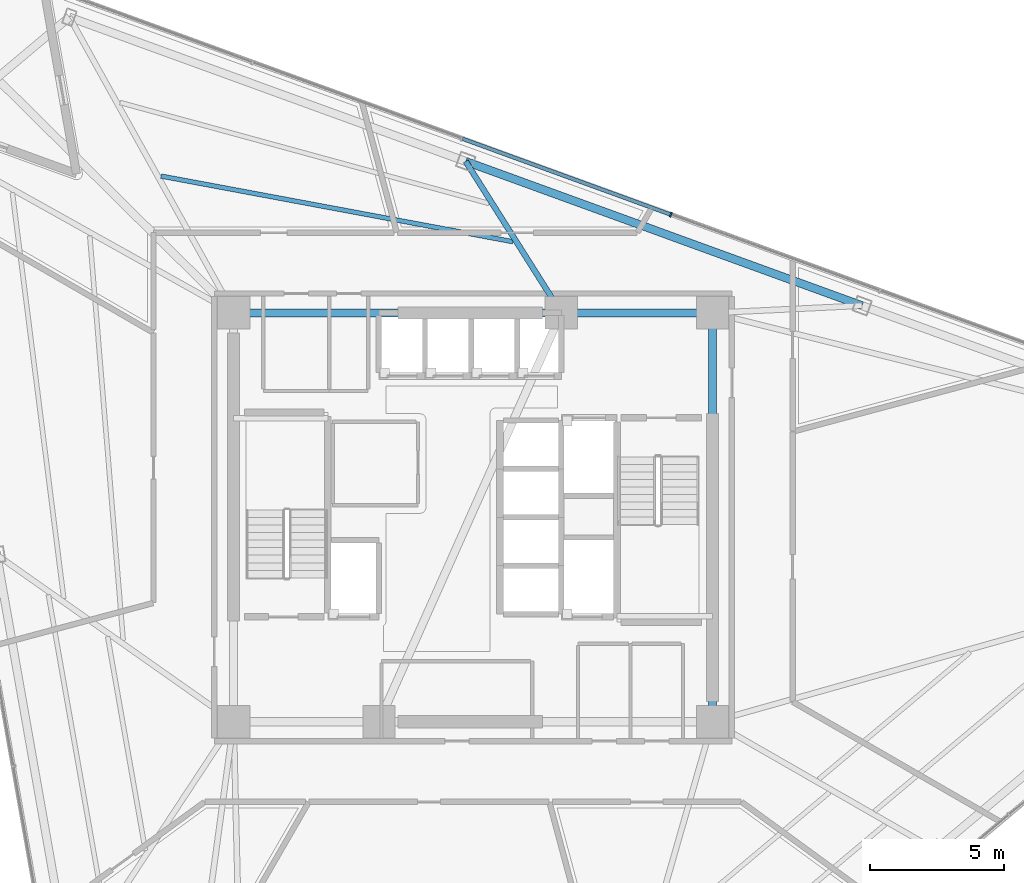
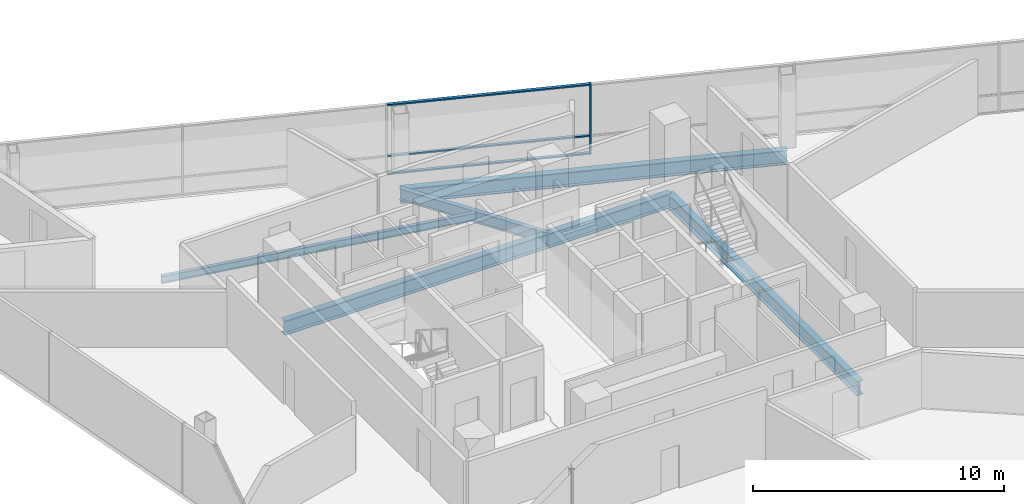
# One storey, part 6 of 15: 6 beams, 4 members, 1 element without a shape of its own.
"""IFC4 building model written with IfcOpenShell, lengths in metres."""

from ifc_helpers import new_model, si_unit, direction, frame, origin, origin_2d, place, context, subcontext, project, spatial, rectangle, i_section, extrude, material, layer, layer_set, material_profile, profile_set, type_object, element, aggregate, save


model = new_model("IFC4")

# Units and contexts
model_context = context("Model", 3, precision=1e-05, world=origin(), true_north=direction((0.0, 1.0)))
body_context = subcontext(model_context, "Body", "Model", "MODEL_VIEW")
ifc_project = project(units=[si_unit("LENGTHUNIT", "METRE"), si_unit("AREAUNIT", "SQUARE_METRE"), si_unit("VOLUMEUNIT", "CUBIC_METRE"), si_unit("PLANEANGLEUNIT", "RADIAN"), si_unit("MASSUNIT", "GRAM", prefix="KILO")], contexts=[model_context])

# Site, building, storey
site_placement = place(None, origin())
site = spatial("IfcSite", under=ifc_project, at=site_placement, CompositionType="ELEMENT")
building_placement = place(site_placement, origin())
building = spatial("IfcBuilding", under=site, at=building_placement, Name="Tharavind Bronze Gate", CompositionType="ELEMENT")
storey_placement = place(building_placement, frame((0.0, 0.0, 177.699951171875)))
storey = spatial("IfcBuildingStorey", under=building, at=storey_placement, Name="L45", CompositionType="ELEMENT", Elevation=177.699951171875)

# Curtain wall, members
ifc_material_1 = material(Name="Anodised Bronze Aluminium", Category="aluminium")
ifc_layer = layer(ifc_material_1, 0.219970703125)
ifc_layer_set = layer_set([ifc_layer], Name="Anodised Bronze Aluminium")
curtain_wall_type = type_object("IfcCurtainWallType", Name="UNITISED CURTAIN WALL MID OFFICE", PredefinedType="USERDEFINED", material=ifc_layer_set)
curtain_wall_placement = place(storey_placement, origin())
curtain_wall = element("IfcCurtainWall", 1, at=curtain_wall_placement, inside=storey, type_object=curtain_wall_type, Name="L45 unitised curtain wall mid office CW-L45-S3", ObjectType="UNITISED CURTAIN WALL", PredefinedType="USERDEFINED")
member_type_1 = type_object("IfcMemberType", Name="CURTAIN WALL BRONZE MULLION 65X180", PredefinedType="MULLION", material=ifc_material_1)
member_1_placement = place(storey_placement, frame((7.35009765625, 11.25439453125, 0.0), z_axis=(0.0, 0.0, 1.0), x_axis=(-0.939692023847, 0.342021783398, 0.0)))
member_1 = element("IfcMember", 2, at=member_1_placement, type_object=member_type_1, Name="CW-L45-S3 mullion 4", PredefinedType="MULLION", context=body_context, shape_type="SweptSolid", body=[
    extrude(rectangle(XDim=0.06494140625, YDim=0.179931640625, at=origin_2d()), origin(), (0.0, 0.0, 1.0), 3.419921875),
])
member_type_2 = type_object("IfcMemberType", Name="CURTAIN WALL BRONZE TRANSOM 65X140", PredefinedType="USERDEFINED", material=ifc_material_1)
member_2_placement = place(storey_placement, frame((3.462890625, 12.669189453125, 0.0), z_axis=(0.0, 0.0, 1.0), x_axis=(-0.939692023847, 0.342021783398, 0.0)))
member_2 = element("IfcMember", 3, at=member_2_placement, type_object=member_type_2, Name="CW-L45-S3 transom TB4", ObjectType="TRANSOM", PredefinedType="USERDEFINED", context=body_context, shape_type="SweptSolid", body=[
    extrude(rectangle(XDim=8.220458984375, YDim=0.139892578125, at=origin_2d()), origin(), (0.0, 0.0, 1.0), 0.06494140625),
])
member_3_placement = place(storey_placement, frame((3.462890625, 12.669189453125, 0.86767578125), z_axis=(0.0, 0.0, 1.0), x_axis=(-0.939692023847, 0.342021783398, 0.0)))
member_3 = element("IfcMember", 4, at=member_3_placement, type_object=member_type_2, Name="CW-L45-S3 transom TS4", ObjectType="TRANSOM", PredefinedType="USERDEFINED", context=body_context, shape_type="SweptSolid", body=[
    extrude(rectangle(XDim=8.220458984375, YDim=0.139892578125, at=origin_2d()), origin(), (0.0, 0.0, 1.0), 0.06494140625),
])
member_4_placement = place(storey_placement, frame((3.462890625, 12.669189453125, 3.35498046875), z_axis=(0.0, 0.0, 1.0), x_axis=(-0.939692023847, 0.342021783398, 0.0)))
member_4 = element("IfcMember", 5, at=member_4_placement, type_object=member_type_2, Name="CW-L45-S3 transom TT4", ObjectType="TRANSOM", PredefinedType="USERDEFINED", context=body_context, shape_type="SweptSolid", body=[
    extrude(rectangle(XDim=8.220458984375, YDim=0.139892578125, at=origin_2d()), origin(), (0.0, 0.0, 1.0), 0.06494140625),
])
aggregate(curtain_wall, [member_1, member_2, member_3, member_4])

# Beams
ifc_material_2 = material(Name="Steel S355", Category="steel")
ifc_material_profile_1 = material_profile(ifc_material_2, i_section(OverallWidth=0.2099609375, OverallDepth=0.550048828125, WebThickness=0.010986328125, FlangeThickness=0.01708984375, at=origin_2d()), Name="IPE550")
ifc_profile_set_1 = profile_set([ifc_material_profile_1], Name="Steel S355")
beam_type_1 = type_object("IfcBeamType", Name="PRIMARY GIRDER IPE550", PredefinedType="USERDEFINED", material=ifc_profile_set_1)
beam_1_placement = place(storey_placement, frame((-0.27392578125, 13.231201171875, -0.454833984375), z_axis=(0.53372121288, -0.845660491522, 0.0), x_axis=(0.845660491522, 0.53372121288, 0.0)))
element("IfcBeam", 6, at=beam_1_placement, inside=storey, type_object=beam_type_1, Name="L45 primary girder ipe550 BM-L45-RAD11", ObjectType="GIRDER", PredefinedType="USERDEFINED", context=body_context, shape_type="SweptSolid", body=[
    extrude(i_section(OverallWidth=0.2099609375, OverallDepth=0.550048828125, WebThickness=0.010986328125, FlangeThickness=0.01708984375, at=origin_2d()), origin(), (0.0, 0.0, 1.0), 6.658935546875),
])
ifc_material_profile_2 = material_profile(ifc_material_2, i_section(OverallWidth=0.300048828125, OverallDepth=0.699951171875, WebThickness=0.01708984375, FlangeThickness=0.031982421875, at=origin_2d()), Name="HE700B")
ifc_profile_set_2 = profile_set([ifc_material_profile_2], Name="Steel S355")
beam_type_2 = type_object("IfcBeamType", Name="RING GIRDER HE700B", PredefinedType="USERDEFINED", material=ifc_profile_set_2)
beam_2_placement = place(storey_placement, frame((8.89990234375, -7.60009765625, -0.530029296875), z_axis=(0.0, 1.0, 0.0), x_axis=(-1.0, 0.0, 0.0)))
element("IfcBeam", 7, at=beam_2_placement, inside=storey, type_object=beam_type_2, Name="L45 ring girder he700b BM-L45-CR3", ObjectType="GIRDER", PredefinedType="USERDEFINED", context=body_context, shape_type="SweptSolid", body=[
    extrude(i_section(OverallWidth=0.300048828125, OverallDepth=0.699951171875, WebThickness=0.01708984375, FlangeThickness=0.031982421875, at=origin_2d()), origin(), (0.0, 0.0, 1.0), 15.2001953125),
])
beam_3_placement = place(storey_placement, frame((8.89990234375, 7.60009765625, -0.530029296875), z_axis=(-1.0, 0.0, 0.0), x_axis=(0.0, -1.0, 0.0)))
element("IfcBeam", 8, at=beam_3_placement, inside=storey, type_object=beam_type_2, Name="L45 ring girder he700b BM-L45-CR4", ObjectType="GIRDER", PredefinedType="USERDEFINED", context=body_context, shape_type="SweptSolid", body=[
    extrude(i_section(OverallWidth=0.300048828125, OverallDepth=0.699951171875, WebThickness=0.01708984375, FlangeThickness=0.031982421875, at=origin_2d()), origin(), (0.0, 0.0, 1.0), 5.619873046875),
])
beam_4_placement = place(storey_placement, frame((3.280029296875, 7.60009765625, -0.530029296875), z_axis=(-1.0, 0.0, 0.0), x_axis=(0.0, -1.0, 0.0)))
element("IfcBeam", 9, at=beam_4_placement, inside=storey, type_object=beam_type_2, Name="L45 ring girder he700b BM-L45-CR5", ObjectType="GIRDER", PredefinedType="USERDEFINED", context=body_context, shape_type="SweptSolid", body=[
    extrude(i_section(OverallWidth=0.300048828125, OverallDepth=0.699951171875, WebThickness=0.01708984375, FlangeThickness=0.031982421875, at=origin_2d()), origin(), (0.0, 0.0, 1.0), 12.179931640625),
])
beam_5_placement = place(storey_placement, frame((14.461181640625, 7.867919921875, -0.530029296875), z_axis=(-0.939689735949, 0.342028069246, 0.0), x_axis=(-0.342028069246, -0.939689735949, 0.0)))
element("IfcBeam", 10, at=beam_5_placement, inside=storey, type_object=beam_type_2, Name="L45 ring girder he700b BM-L45-PRG10", ObjectType="GIRDER", PredefinedType="USERDEFINED", context=body_context, shape_type="SweptSolid", body=[
    extrude(i_section(OverallWidth=0.300048828125, OverallDepth=0.699951171875, WebThickness=0.01708984375, FlangeThickness=0.031982421875, at=origin_2d()), origin(), (0.0, 0.0, 1.0), 15.680908203125),
])
ifc_material_profile_3 = material_profile(ifc_material_2, i_section(OverallWidth=0.169921875, OverallDepth=0.360107421875, WebThickness=0.008056640625, FlangeThickness=0.0126953125, at=origin_2d()), Name="IPE360")
ifc_profile_set_3 = profile_set([ifc_material_profile_3], Name="Steel S355")
beam_type_3 = type_object("IfcBeamType", Name="SECONDARY FLOOR JOIST IPE360", PredefinedType="JOIST", material=ifc_profile_set_3)
beam_6_placement = place(storey_placement, frame((1.48291015625, 10.245361328125, -0.35986328125), z_axis=(-0.98304057782, 0.183388173989, 0.0), x_axis=(-0.183388173989, -0.98304057782, 0.0)))
element("IfcBeam", 11, at=beam_6_placement, inside=storey, type_object=beam_type_3, Name="L45 secondary floor joist ipe360 BM-L45-JSTA11", PredefinedType="JOIST", context=body_context, shape_type="SweptSolid", body=[
    extrude(i_section(OverallWidth=0.169921875, OverallDepth=0.360107421875, WebThickness=0.008056640625, FlangeThickness=0.0126953125, at=origin_2d()), origin(), (0.0, 0.0, 1.0), 13.3115234375),
])

save(model, "model.ifc")
